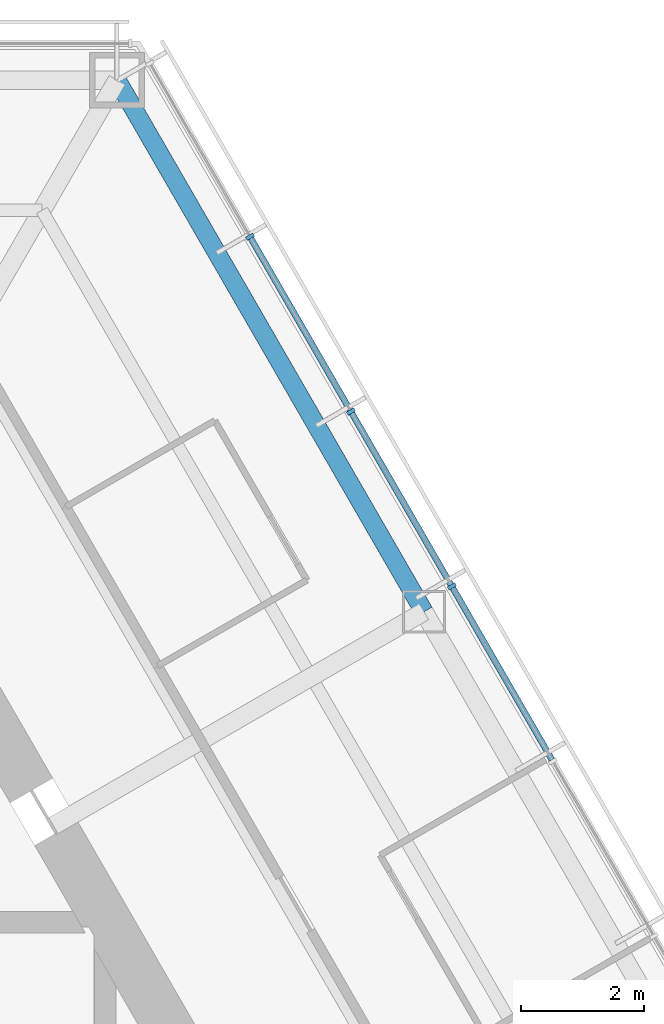
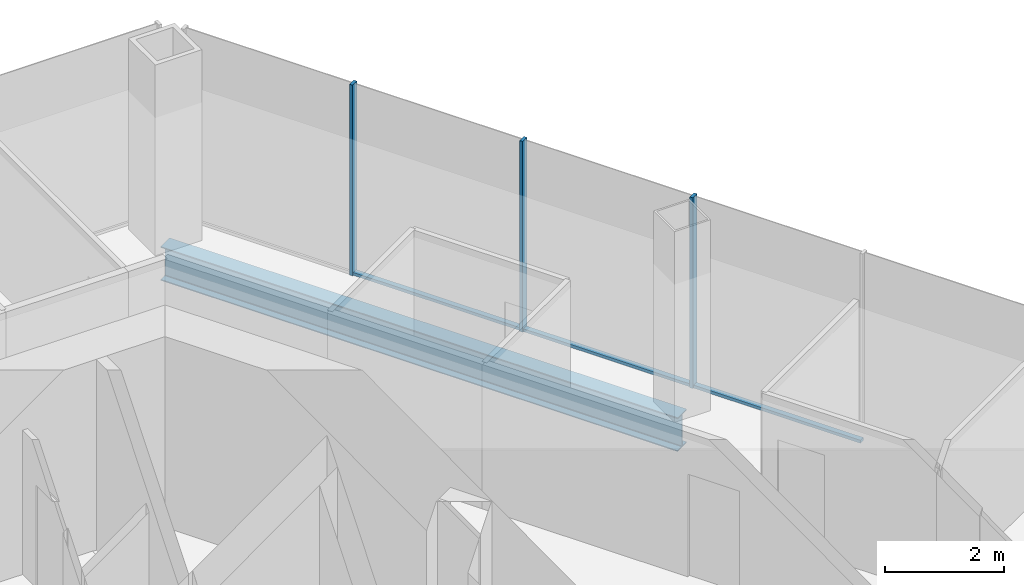
# One storey, part 7 of 15: 6 members, 1 beam, 1 element without a shape of its own.
"""IFC4 building model written with IfcOpenShell, lengths in metres."""

from ifc_helpers import new_model, si_unit, direction, frame, origin, origin_2d, place, context, subcontext, project, spatial, rectangle, i_section, extrude, material, material_profile, profile_set, type_object, element, aggregate, save


model = new_model("IFC4")

# Units and contexts
model_context = context("Model", 3, precision=1e-05, world=origin(), true_north=direction((0.0, 1.0)))
body_context = subcontext(model_context, "Body", "Model", "MODEL_VIEW")
ifc_project = project(units=[si_unit("LENGTHUNIT", "METRE"), si_unit("AREAUNIT", "SQUARE_METRE"), si_unit("VOLUMEUNIT", "CUBIC_METRE"), si_unit("PLANEANGLEUNIT", "RADIAN"), si_unit("MASSUNIT", "GRAM", prefix="KILO")], contexts=[model_context])

# Site, building, storey
site_placement = place(None, origin())
site = spatial("IfcSite", under=ifc_project, at=site_placement, CompositionType="ELEMENT")
building_placement = place(site_placement, origin())
building = spatial("IfcBuilding", under=site, at=building_placement, Name="Kasaneha Research Tower", CompositionType="ELEMENT")
storey_placement = place(building_placement, frame((0.0, 0.0, 212.800048828125)))
storey = spatial("IfcBuildingStorey", under=building, at=storey_placement, Name="L53", CompositionType="ELEMENT", Elevation=212.800048828125)

# Curtain wall, members
ifc_material_1 = material(Name="Glass and aluminium", Category="aluminium")
curtain_wall_type = type_object("IfcCurtainWallType", Name="High-rise office curtain wall", PredefinedType="USERDEFINED", material=ifc_material_1)
curtain_wall_placement = place(storey_placement, origin())
curtain_wall = element("IfcCurtainWall", 1, at=curtain_wall_placement, inside=storey, type_object=curtain_wall_type, Name="CW-O3 L53 run 01a", ObjectType="UNITISED CURTAIN WALL", PredefinedType="USERDEFINED")
ifc_material_2 = material(Name="Aluminium 6063-T6", Category="aluminium")
ifc_material_profile_1 = material_profile(ifc_material_2, rectangle(XDim=0.06005859375, YDim=0.139892578125, at=origin_2d()), Name="CW-O3 mullion 60x140")
ifc_profile_set_1 = profile_set([ifc_material_profile_1], Name="Aluminium 6063-T6")
member_type_1 = type_object("IfcMemberType", Name="CW-O3 mullion", PredefinedType="MULLION", material=ifc_profile_set_1)
member_1_placement = place(storey_placement, frame((15.454833984375, 9.072265625, 0.0), z_axis=(0.0, 0.0, 1.0), x_axis=(-0.499999979232, 0.866025415775, 0.0)))
member_1 = element("IfcMember", 2, at=member_1_placement, type_object=member_type_1, Name="CW-O3 mullion 4", PredefinedType="MULLION", context=body_context, shape_type="SweptSolid", body=[
    extrude(rectangle(XDim=0.06005859375, YDim=0.139892578125, at=origin_2d()), origin(), (0.0, 0.0, 1.0), 3.89990234375),
])
member_2_placement = place(storey_placement, frame((13.81005859375, 11.921142578125, 0.0), z_axis=(0.0, 0.0, 1.0), x_axis=(-0.499999979232, 0.866025415775, 0.0)))
member_2 = element("IfcMember", 3, at=member_2_placement, type_object=member_type_1, Name="CW-O3 mullion 5", PredefinedType="MULLION", context=body_context, shape_type="SweptSolid", body=[
    extrude(rectangle(XDim=0.06005859375, YDim=0.139892578125, at=origin_2d()), origin(), (0.0, 0.0, 1.0), 3.89990234375),
])
member_3_placement = place(storey_placement, frame((12.165283203125, 14.77001953125, 0.0), z_axis=(0.0, 0.0, 1.0), x_axis=(-0.499999979232, 0.866025415775, 0.0)))
member_3 = element("IfcMember", 4, at=member_3_placement, type_object=member_type_1, Name="CW-O3 mullion 6", PredefinedType="MULLION", context=body_context, shape_type="SweptSolid", body=[
    extrude(rectangle(XDim=0.06005859375, YDim=0.139892578125, at=origin_2d()), origin(), (0.0, 0.0, 1.0), 3.89990234375),
])
ifc_material_3 = material(Name="Aluminium 6063-T6", Category="aluminium")
ifc_material_profile_2 = material_profile(ifc_material_3, rectangle(XDim=0.10009765625, YDim=0.06005859375, at=origin_2d()), Name="CW-O3 transom 100x60")
ifc_profile_set_2 = profile_set([ifc_material_profile_2], Name="Aluminium 6063-T6")
member_type_2 = type_object("IfcMemberType", Name="CW-O3 transom", PredefinedType="USERDEFINED", material=ifc_profile_set_2)
member_4_placement = place(storey_placement, frame((17.084716796875, 6.24951171875, 0.030029296875), z_axis=(-0.49999293077, 0.866029485168, 0.0), x_axis=(-0.866029485168, -0.49999293077, 0.0)))
member_4 = element("IfcMember", 5, at=member_4_placement, type_object=member_type_2, Name="CW-O3 transom 3", ObjectType="TRANSOM", PredefinedType="USERDEFINED", context=body_context, shape_type="SweptSolid", body=[
    extrude(rectangle(XDim=0.10009765625, YDim=0.06005859375, at=origin_2d()), origin(), (0.0, 0.0, 1.0), 3.2294921875),
])
member_5_placement = place(storey_placement, frame((15.43994140625, 9.098388671875, 0.030029296875), z_axis=(-0.50002566634, 0.866010584809, 0.0), x_axis=(-0.866010584809, -0.50002566634, 0.0)))
member_5 = element("IfcMember", 6, at=member_5_placement, type_object=member_type_2, Name="CW-O3 transom 4", ObjectType="TRANSOM", PredefinedType="USERDEFINED", context=body_context, shape_type="SweptSolid", body=[
    extrude(rectangle(XDim=0.10009765625, YDim=0.06005859375, at=origin_2d()), origin(), (0.0, 0.0, 1.0), 3.229248046875),
])
member_6_placement = place(storey_placement, frame((13.795166015625, 11.947021484375, 0.030029296875), z_axis=(-0.49999293077, 0.866029485168, 0.0), x_axis=(-0.866029485168, -0.49999293077, 0.0)))
member_6 = element("IfcMember", 7, at=member_6_placement, type_object=member_type_2, Name="CW-O3 transom 5", ObjectType="TRANSOM", PredefinedType="USERDEFINED", context=body_context, shape_type="SweptSolid", body=[
    extrude(rectangle(XDim=0.10009765625, YDim=0.06005859375, at=origin_2d()), origin(), (0.0, 0.0, 1.0), 3.2294921875),
])
aggregate(curtain_wall, [member_1, member_2, member_3, member_4, member_5, member_6])

# Beam
ifc_material_4 = material(Name="Steel SN490B", Category="steel")
ifc_material_profile_3 = material_profile(ifc_material_4, i_section(OverallWidth=0.300048828125, OverallDepth=0.69189453125, WebThickness=0.012939453125, FlangeThickness=0.02001953125, FilletRadius=0.01806640625, at=origin_2d()), Name="H-692x300x13x20")
ifc_profile_set_3 = profile_set([ifc_material_profile_3], Name="Steel SN490B")
beam_type = type_object("IfcBeamType", Name="SB1-3 spandrel beam H-692x300x13x20", PredefinedType="SPANDREL", material=ifc_profile_set_3)
beam_placement = place(storey_placement, frame((10.0, 17.320556640625, -0.49609375), z_axis=(0.499993662806, -0.866029062534, 0.0), x_axis=(0.866029062534, 0.499993662806, 0.0)))
element("IfcBeam", 8, at=beam_placement, inside=storey, type_object=beam_type, Name="Spandrel beam SR030R L53", PredefinedType="SPANDREL", context=body_context, shape_type="SweptSolid", body=[
    extrude(i_section(OverallWidth=0.300048828125, OverallDepth=0.69189453125, WebThickness=0.012939453125, FlangeThickness=0.02001953125, FilletRadius=0.01806640625, at=origin_2d()), origin(), (0.0, 0.0, 1.0), 10.000244140625),
])

save(model, "model.ifc")
